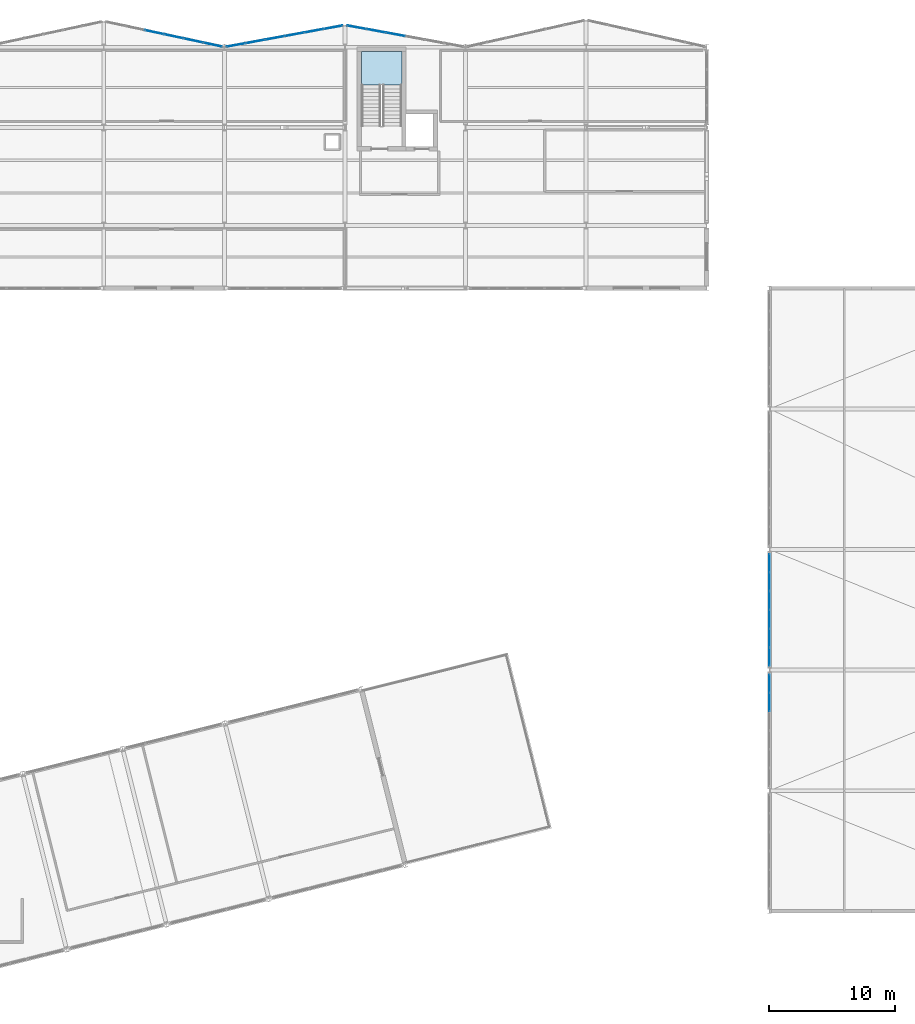
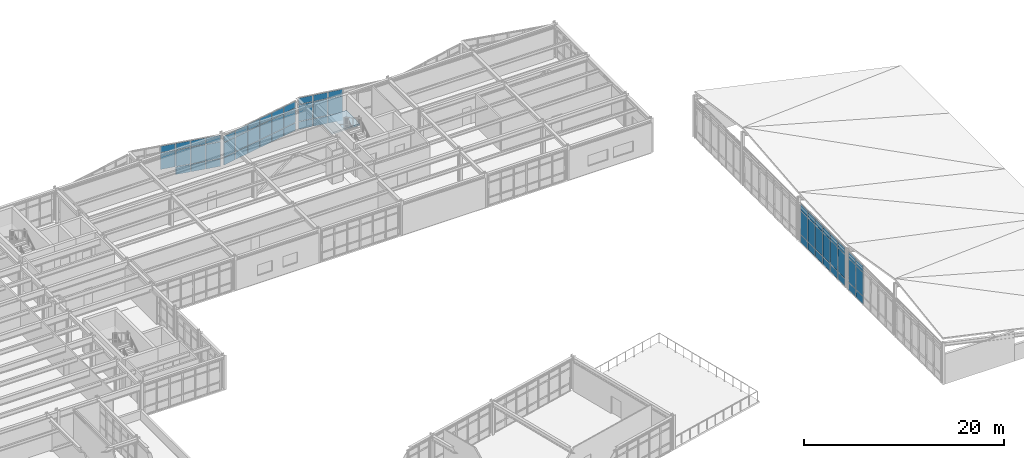
# One storey, part 48 of 64: 62 plates, 1 slab, 6 elements without a shape of their own.
"""IFC4 building model written with IfcOpenShell, lengths in metres."""

import ifcopenshell
import ifcopenshell.guid

model = None  # the IFC model being written
_history = None  # IfcOwnerHistory: only IFC2X3 demands one
_inside = {}  # id of a spatial element -> (the spatial element, [elements in it])
_under = {}  # id of a project, library or spatial element -> (it, [spatial elements below it])
_declared = {}  # id of a project -> (the project, [libraries it declares])
_typed = {}  # id of a type object -> (the type object, [elements of that type])
_made_of = {}  # id of a material, layer set ... -> (it, [elements and type objects made of it])


def new_model(schema):
    """Start an empty IFC model of exactly this schema.

    Asked for "IFC4X3", IfcOpenShell would pick the latest addendum, in which some entities
    have other attributes; the version numbers below select the first issue.
    IFC2X3 requires an IfcOwnerHistory on every rooted entity: one is made here for all.
    """
    global model, _history
    if schema == "IFC4X3":
        model = ifcopenshell.file(schema_version=(4, 3, 0, 0))
    else:
        model = ifcopenshell.file(schema=schema)
    _inside.clear()
    _under.clear()
    _declared.clear()
    _typed.clear()
    _made_of.clear()
    _history = None
    if model.schema == "IFC2X3":
        org = make("IfcOrganization", Name="unknown")
        user = make(
            "IfcPersonAndOrganization",
            ThePerson=make("IfcPerson", FamilyName="unknown"),
            TheOrganization=org,
        )
        app = make(
            "IfcApplication",
            ApplicationDeveloper=org,
            Version="unknown",
            ApplicationFullName="unknown",
            ApplicationIdentifier="unknown",
        )
        _history = make(
            "IfcOwnerHistory",
            OwningUser=user,
            OwningApplication=app,
            ChangeAction="ADDED",
            CreationDate=0,
        )
    return model


def make(cls, **values):
    """One entity of the class cls with the attributes given. An attribute that is None is left unset."""
    return model.create_entity(
        cls, **{name: value for name, value in values.items() if value is not None}
    )


def rooted(cls, **values):
    """An entity with a GlobalId (a new one), such as an element, a storey or a relation."""
    return make(cls, GlobalId=ifcopenshell.guid.new(), OwnerHistory=_history, **values)


def si_unit(unit_type, name, prefix=None):
    """IfcSIUnit, for example si_unit("LENGTHUNIT", "METRE", prefix="MILLI")."""
    return make("IfcSIUnit", UnitType=unit_type, Prefix=prefix, Name=name)


def assignment(units):
    """IfcUnitAssignment: the units of a project."""
    return None if units is None else make("IfcUnitAssignment", Units=units)


def point(xyz):
    """IfcCartesianPoint."""
    return None if xyz is None else make("IfcCartesianPoint", Coordinates=xyz)


def direction(xyz):
    """IfcDirection."""
    return None if xyz is None else make("IfcDirection", DirectionRatios=xyz)


def frame(location, z_axis=None, x_axis=None):
    """IfcAxis2Placement3D, a coordinate frame: its origin and axes. An axis left out is left unset."""
    return make(
        "IfcAxis2Placement3D",
        Location=point(location),
        Axis=direction(z_axis),
        RefDirection=direction(x_axis),
    )


def frame_2d(location, x_axis=None):
    """IfcAxis2Placement2D, a coordinate frame in the plane: its origin and x axis."""
    return make(
        "IfcAxis2Placement2D", Location=point(location), RefDirection=direction(x_axis)
    )


def origin():
    """The frame at (0, 0, 0) with its axes left unset."""
    return frame((0.0, 0.0, 0.0))


def origin_2d():
    """The frame at (0, 0) in the plane with its x axis left unset."""
    return frame_2d((0.0, 0.0))


def place(relative_to, where):
    """IfcLocalPlacement: puts the frame where relative to a parent placement (None: the world)."""
    return make(
        "IfcLocalPlacement", PlacementRelTo=relative_to, RelativePlacement=where
    )


def context(
    kind, dimensions, precision=None, world=None, true_north=None, identifier=None
):
    """IfcGeometricRepresentationContext, for example the 3D "Model" context."""
    return make(
        "IfcGeometricRepresentationContext",
        ContextIdentifier=identifier,
        ContextType=kind,
        CoordinateSpaceDimension=dimensions,
        Precision=precision,
        WorldCoordinateSystem=world,
        TrueNorth=true_north,
    )


def subcontext(parent, identifier, kind, view, scale=None):
    """IfcGeometricRepresentationSubContext, for example "Body" below "Model"."""
    return make(
        "IfcGeometricRepresentationSubContext",
        ContextIdentifier=identifier,
        ContextType=kind,
        ParentContext=parent,
        TargetScale=scale,
        TargetView=view,
    )


def project(units=None, contexts=None):
    """IfcProject with its units and contexts."""
    return rooted(
        "IfcProject",
        Name="project",
        RepresentationContexts=contexts,
        UnitsInContext=assignment(units),
    )


def spatial(cls, under=None, at=None, **own):
    """A site, building, storey or space (cls), placed at a placement, below another one or the project."""
    s = rooted(cls, ObjectPlacement=at, **own)
    if under is not None:
        _under.setdefault(under.id(), (under, []))[1].append(s)
    return s


def polyline(points):
    """IfcPolyline through the points."""
    return make("IfcPolyline", Points=[point(p) for p in points])


def profile(cls, at=None, kind="AREA", **sizes):
    """A parametric profile (cls). Its sizes go by their IFC names, for example OverallWidth=200.0."""
    return make(cls, ProfileType=kind, Position=at, **sizes)


def rectangle(**sizes):
    """IfcRectangleProfileDef."""
    return profile("IfcRectangleProfileDef", **sizes)


def outline(outer, holes=None, kind="AREA"):
    """IfcArbitraryClosedProfileDef: a profile drawn as a closed curve; with holes, ...WithVoids."""
    if holes is None:
        return make("IfcArbitraryClosedProfileDef", ProfileType=kind, OuterCurve=outer)
    return make(
        "IfcArbitraryProfileDefWithVoids",
        ProfileType=kind,
        OuterCurve=outer,
        InnerCurves=holes,
    )


def extrude(swept, where, along, depth):
    """IfcExtrudedAreaSolid: the profile swept, set in the frame where, extruded along a direction by depth."""
    return make(
        "IfcExtrudedAreaSolid",
        SweptArea=swept,
        Position=where,
        ExtrudedDirection=direction(along),
        Depth=depth,
    )


def shape(context_of_items, identifier, shape_type, items):
    """IfcShapeRepresentation: the items that make up one representation, for example the "Body"."""
    return make(
        "IfcShapeRepresentation",
        ContextOfItems=context_of_items,
        RepresentationIdentifier=identifier,
        RepresentationType=shape_type,
        Items=items,
    )


def material(Name=None, Category=None):
    """IfcMaterial."""
    return make("IfcMaterial", Name=Name, Category=Category)


def layer(
    of_material, thickness, ventilated=None, Name=None, Category=None, Priority=None
):
    """IfcMaterialLayer: one layer of a wall or slab, of a material (None: an air gap)."""
    return make(
        "IfcMaterialLayer",
        Material=of_material,
        LayerThickness=thickness,
        IsVentilated=ventilated,
        Name=Name,
        Category=Category,
        Priority=Priority,
    )


def layer_set(layers, Name=None):
    """IfcMaterialLayerSet."""
    return make("IfcMaterialLayerSet", MaterialLayers=layers, LayerSetName=Name)


def made_of(thing, what):
    """Note that an element or type object is made of a material, layer set ...; save() writes the relation."""
    if what is not None:
        _made_of.setdefault(what.id(), (what, []))[1].append(thing)
    return thing


def type_object(cls, material=None, **own):
    """A type object (cls), such as IfcWallType, which elements share."""
    return made_of(rooted(cls, **own), material)


def element(
    cls,
    number,
    at=None,
    inside=None,
    cuts=None,
    type_object=None,
    material=None,
    context=None,
    identifier="Body",
    shape_type=None,
    held_by="IfcProductDefinitionShape",
    body=None,
    shapes=None,
    **own,
):
    """One element of the class cls, such as IfcWall. Its Tag is "e" and its number.

    at: its placement. inside: the storey or other place that contains it. cuts: it is an
    opening in that element (IfcRelVoidsElement). A single representation is given by context,
    identifier, shape_type and body (its items); several are given by shapes. held_by: the class
    of the entity that holds the representations. save() writes the other relations.
    """
    e = rooted(cls, Tag="e%d" % number, ObjectPlacement=at, **own)
    if body is not None:
        shapes = [shape(context, identifier, shape_type, body)]
    if shapes is not None:
        e.Representation = make(held_by, Representations=shapes)
    if inside is not None:
        _inside.setdefault(inside.id(), (inside, []))[1].append(e)
    if cuts is not None:
        rooted(
            "IfcRelVoidsElement", RelatingBuildingElement=cuts, RelatedOpeningElement=e
        )
    if type_object is not None:
        _typed.setdefault(type_object.id(), (type_object, []))[1].append(e)
    return made_of(e, material)


def aggregate(whole, parts):
    """IfcRelAggregates: a whole, such as a stair, and the parts it consists of."""
    return rooted("IfcRelAggregates", RelatingObject=whole, RelatedObjects=parts)


def save(model, path):
    """Write the relations noted so far, then the file.

    IfcRelAggregates (storeys below a building ...), IfcRelContainedInSpatialStructure (elements
    in a storey), IfcRelDefinesByType, IfcRelAssociatesMaterial and IfcRelDeclares: one each for
    every whole, place, type object, material and project.
    """
    for whole, parts in _under.values():
        aggregate(whole, parts)
    for where, things in _inside.values():
        rooted(
            "IfcRelContainedInSpatialStructure",
            RelatedElements=things,
            RelatingStructure=where,
        )
    for kind, things in _typed.values():
        rooted("IfcRelDefinesByType", RelatedObjects=things, RelatingType=kind)
    for what, things in _made_of.values():
        rooted("IfcRelAssociatesMaterial", RelatedObjects=things, RelatingMaterial=what)
    for by, libraries in _declared.values():
        rooted("IfcRelDeclares", RelatingContext=by, RelatedDefinitions=libraries)
    model.write(path)


model = new_model("IFC4")

# Units and contexts
model_context = context("Model", 3, precision=1e-05, world=origin(), true_north=direction((0.0, 1.0)))
body_context = subcontext(model_context, "Body", "Model", "MODEL_VIEW")
ifc_project = project(units=[si_unit("LENGTHUNIT", "METRE"), si_unit("AREAUNIT", "SQUARE_METRE"), si_unit("VOLUMEUNIT", "CUBIC_METRE"), si_unit("PLANEANGLEUNIT", "RADIAN"), si_unit("MASSUNIT", "GRAM", prefix="KILO")], contexts=[model_context])

# Site, building, storey
site_placement = place(None, origin())
site = spatial("IfcSite", under=ifc_project, at=site_placement, CompositionType="ELEMENT")
building_placement = place(site_placement, origin())
building = spatial("IfcBuilding", under=site, at=building_placement, Name="Nordkorset Police Headquarters", CompositionType="ELEMENT")
storey_placement = place(building_placement, frame((0.0, 0.0, 17.85009765625)))
storey = spatial("IfcBuildingStorey", under=building, at=storey_placement, Name="L04", CompositionType="ELEMENT", Elevation=17.85009765625)

# Curtain wall, plates
ifc_material_1 = material(Name="Aluminium alloy AW-6060", Category="aluminium")
ifc_layer_1 = layer(ifc_material_1, 0.179931640625, Name="Aluminium alloy AW-6060")
ifc_layer_set_1 = layer_set([ifc_layer_1], Name="Aluminium alloy AW-6060")
curtain_wall_type_1 = type_object("IfcCurtainWallType", Name="CW_Unit_954x392", PredefinedType="USERDEFINED", material=ifc_layer_set_1)
curtain_wall_1_placement = place(storey_placement, origin())
curtain_wall_1 = element("IfcCurtainWall", 1, at=curtain_wall_1_placement, inside=storey, type_object=curtain_wall_type_1, Name="Unitised Curtain Wall L04 V2N-1", ObjectType="UNITISED CURTAIN WALL", PredefinedType="USERDEFINED")
ifc_material_2 = material(Name="Low-iron triple glazing", Category="glass")
ifc_layer_2 = layer(ifc_material_2, 0.035888671875, Name="Low-iron triple glazing")
ifc_layer_set_2 = layer_set([ifc_layer_2], Name="Low-iron triple glazing")
plate_type = type_object("IfcPlateType", Name="CW_Panel_TripleGlazing_36", PredefinedType="CURTAIN_PANEL", material=ifc_layer_set_2)
plate_1_placement = place(storey_placement, frame((42.4228515625, 117.990966796875, 1.032470703125), z_axis=(0.0, 0.0, 1.0), x_axis=(0.977951416289, -0.208832534289, 0.0)))
plate_1 = element("IfcPlate", 2, at=plate_1_placement, type_object=plate_type, Name="CW-20 panel 3.2", PredefinedType="CURTAIN_PANEL", context=body_context, shape_type="SweptSolid", body=[
    extrude(rectangle(XDim=1.5244140625, YDim=0.035888671875, at=origin_2d()), origin(), (0.0, 0.0, 1.0), 2.0048828125),
])
plate_2_placement = place(storey_placement, frame((42.4228515625, 117.990966796875, 3.1025390625), z_axis=(0.0, 0.0, 1.0), x_axis=(0.977951416289, -0.208832534289, 0.0)))
plate_2 = element("IfcPlate", 3, at=plate_2_placement, type_object=plate_type, Name="CW-20 panel 3.3", PredefinedType="CURTAIN_PANEL", context=body_context, shape_type="SweptSolid", body=[
    extrude(rectangle(XDim=1.5244140625, YDim=0.035888671875, at=origin_2d()), origin(), (0.0, 0.0, 1.0), 0.75244140625),
])
plate_3_placement = place(storey_placement, frame((43.977294921875, 117.658935546875, 0.06494140625), z_axis=(0.0, 0.0, 1.0), x_axis=(0.977951416289, -0.208832534289, 0.0)))
plate_3 = element("IfcPlate", 4, at=plate_3_placement, type_object=plate_type, Name="CW-20 panel 4.1", PredefinedType="CURTAIN_PANEL", context=body_context, shape_type="SweptSolid", body=[
    extrude(rectangle(XDim=1.5244140625, YDim=0.035888671875, at=origin_2d()), origin(), (0.0, 0.0, 1.0), 0.902587890625),
])
plate_4_placement = place(storey_placement, frame((43.977294921875, 117.658935546875, 1.032470703125), z_axis=(0.0, 0.0, 1.0), x_axis=(0.977951416289, -0.208832534289, 0.0)))
plate_4 = element("IfcPlate", 5, at=plate_4_placement, type_object=plate_type, Name="CW-20 panel 4.2", PredefinedType="CURTAIN_PANEL", context=body_context, shape_type="SweptSolid", body=[
    extrude(rectangle(XDim=1.5244140625, YDim=0.035888671875, at=origin_2d()), origin(), (0.0, 0.0, 1.0), 2.0048828125),
])
plate_5_placement = place(storey_placement, frame((43.977294921875, 117.658935546875, 3.1025390625), z_axis=(0.0, 0.0, 1.0), x_axis=(0.977951416289, -0.208832534289, 0.0)))
plate_5 = element("IfcPlate", 6, at=plate_5_placement, type_object=plate_type, Name="CW-20 panel 4.3", PredefinedType="CURTAIN_PANEL", context=body_context, shape_type="SweptSolid", body=[
    extrude(rectangle(XDim=1.5244140625, YDim=0.035888671875, at=origin_2d()), origin(), (0.0, 0.0, 1.0), 0.75244140625),
])
plate_6_placement = place(storey_placement, frame((45.531494140625, 117.3271484375, 0.06494140625), z_axis=(0.0, 0.0, 1.0), x_axis=(0.977951416289, -0.208832534289, 0.0)))
plate_6 = element("IfcPlate", 7, at=plate_6_placement, type_object=plate_type, Name="CW-20 panel 5.1", PredefinedType="CURTAIN_PANEL", context=body_context, shape_type="SweptSolid", body=[
    extrude(rectangle(XDim=1.5244140625, YDim=0.035888671875, at=origin_2d()), origin(), (0.0, 0.0, 1.0), 0.902587890625),
])
plate_7_placement = place(storey_placement, frame((45.531494140625, 117.3271484375, 1.032470703125), z_axis=(0.0, 0.0, 1.0), x_axis=(0.977951416289, -0.208832534289, 0.0)))
plate_7 = element("IfcPlate", 8, at=plate_7_placement, type_object=plate_type, Name="CW-20 panel 5.2", PredefinedType="CURTAIN_PANEL", context=body_context, shape_type="SweptSolid", body=[
    extrude(rectangle(XDim=1.5244140625, YDim=0.035888671875, at=origin_2d()), origin(), (0.0, 0.0, 1.0), 2.0048828125),
])
plate_8_placement = place(storey_placement, frame((45.531494140625, 117.3271484375, 3.1025390625), z_axis=(0.0, 0.0, 1.0), x_axis=(0.977951416289, -0.208832534289, 0.0)))
plate_8 = element("IfcPlate", 9, at=plate_8_placement, type_object=plate_type, Name="CW-20 panel 5.3", PredefinedType="CURTAIN_PANEL", context=body_context, shape_type="SweptSolid", body=[
    extrude(rectangle(XDim=1.5244140625, YDim=0.035888671875, at=origin_2d()), origin(), (0.0, 0.0, 1.0), 0.75244140625),
])
plate_9_placement = place(storey_placement, frame((47.070068359375, 116.99853515625, 0.06494140625), z_axis=(0.0, 0.0, 1.0), x_axis=(0.977951416289, -0.208832534289, 0.0)))
plate_9 = element("IfcPlate", 10, at=plate_9_placement, type_object=plate_type, Name="CW-20 panel 6.1", PredefinedType="CURTAIN_PANEL", context=body_context, shape_type="SweptSolid", body=[
    extrude(rectangle(XDim=1.491943359375, YDim=0.035888671875, at=origin_2d()), origin(), (0.0, 0.0, 1.0), 0.902587890625),
])
plate_10_placement = place(storey_placement, frame((47.070068359375, 116.99853515625, 1.032470703125), z_axis=(0.0, 0.0, 1.0), x_axis=(0.977951416289, -0.208832534289, 0.0)))
plate_10 = element("IfcPlate", 11, at=plate_10_placement, type_object=plate_type, Name="CW-20 panel 6.2", PredefinedType="CURTAIN_PANEL", context=body_context, shape_type="SweptSolid", body=[
    extrude(rectangle(XDim=1.491943359375, YDim=0.035888671875, at=origin_2d()), origin(), (0.0, 0.0, 1.0), 2.0048828125),
])
plate_11_placement = place(storey_placement, frame((47.070068359375, 116.99853515625, 3.1025390625), z_axis=(0.0, 0.0, 1.0), x_axis=(0.977951416289, -0.208832534289, 0.0)))
plate_11 = element("IfcPlate", 12, at=plate_11_placement, type_object=plate_type, Name="CW-20 panel 6.3", PredefinedType="CURTAIN_PANEL", context=body_context, shape_type="SweptSolid", body=[
    extrude(rectangle(XDim=1.491943359375, YDim=0.035888671875, at=origin_2d()), origin(), (0.0, 0.0, 1.0), 0.75244140625),
])
aggregate(curtain_wall_1, [plate_1, plate_2, plate_3, plate_4, plate_5, plate_6, plate_7, plate_8, plate_9, plate_10, plate_11])

ifc_material_3 = material(Name="Aluminium alloy AW-6060", Category="aluminium")
ifc_layer_3 = layer(ifc_material_3, 0.179931640625, Name="Aluminium alloy AW-6060")
ifc_layer_set_3 = layer_set([ifc_layer_3], Name="Aluminium alloy AW-6060")
curtain_wall_type_2 = type_object("IfcCurtainWallType", Name="CW_Unit_948x366", PredefinedType="USERDEFINED", material=ifc_layer_set_3)
curtain_wall_2_placement = place(storey_placement, origin())
curtain_wall_2 = element("IfcCurtainWall", 13, at=curtain_wall_2_placement, inside=storey, type_object=curtain_wall_type_2, Name="Unitised Curtain Wall L04 V2N-2", ObjectType="UNITISED CURTAIN WALL", PredefinedType="USERDEFINED")
plate_12_placement = place(storey_placement, frame((48.9306640625, 116.9697265625, 0.06494140625), z_axis=(0.0, 0.0, 1.0), x_axis=(0.983787934979, 0.179335715876, 0.0)))
plate_12 = element("IfcPlate", 14, at=plate_12_placement, type_object=plate_type, Name="CW-35 panel 1.1", PredefinedType="CURTAIN_PANEL", context=body_context, shape_type="SweptSolid", body=[
    extrude(rectangle(XDim=1.482177734375, YDim=0.035888671875, at=origin_2d()), origin(), (0.0, 0.0, 1.0), 0.902587890625),
])
plate_13_placement = place(storey_placement, frame((48.9306640625, 116.9697265625, 1.0322265625), z_axis=(0.0, 0.0, 1.0), x_axis=(0.983787934979, 0.179335715876, 0.0)))
plate_13 = element("IfcPlate", 15, at=plate_13_placement, type_object=plate_type, Name="CW-35 panel 1.2", PredefinedType="CURTAIN_PANEL", context=body_context, shape_type="SweptSolid", body=[
    extrude(rectangle(XDim=1.482177734375, YDim=0.035888671875, at=origin_2d()), origin(), (0.0, 0.0, 1.0), 1.7451171875),
])
plate_14_placement = place(storey_placement, frame((48.9306640625, 116.9697265625, 2.842529296875), z_axis=(0.0, 0.0, 1.0), x_axis=(0.983787934979, 0.179335715876, 0.0)))
plate_14 = element("IfcPlate", 16, at=plate_14_placement, type_object=plate_type, Name="CW-35 panel 1.3", PredefinedType="CURTAIN_PANEL", context=body_context, shape_type="SweptSolid", body=[
    extrude(rectangle(XDim=1.482177734375, YDim=0.035888671875, at=origin_2d()), origin(), (0.0, 0.0, 1.0), 0.75244140625),
])
plate_15_placement = place(storey_placement, frame((50.46875, 117.25, 0.06494140625), z_axis=(0.0, 0.0, 1.0), x_axis=(0.983787934979, 0.179335715876, 0.0)))
plate_15 = element("IfcPlate", 17, at=plate_15_placement, type_object=plate_type, Name="CW-35 panel 2.1", PredefinedType="CURTAIN_PANEL", context=body_context, shape_type="SweptSolid", body=[
    extrude(rectangle(XDim=1.5146484375, YDim=0.035888671875, at=origin_2d()), origin(), (0.0, 0.0, 1.0), 0.902587890625),
])
plate_16_placement = place(storey_placement, frame((50.46875, 117.25, 1.0322265625), z_axis=(0.0, 0.0, 1.0), x_axis=(0.983787934979, 0.179335715876, 0.0)))
plate_16 = element("IfcPlate", 18, at=plate_16_placement, type_object=plate_type, Name="CW-35 panel 2.2", PredefinedType="CURTAIN_PANEL", context=body_context, shape_type="SweptSolid", body=[
    extrude(rectangle(XDim=1.5146484375, YDim=0.035888671875, at=origin_2d()), origin(), (0.0, 0.0, 1.0), 1.7451171875),
])
plate_17_placement = place(storey_placement, frame((50.46875, 117.25, 2.842529296875), z_axis=(0.0, 0.0, 1.0), x_axis=(0.983787934979, 0.179335715876, 0.0)))
plate_17 = element("IfcPlate", 19, at=plate_17_placement, type_object=plate_type, Name="CW-35 panel 2.3", PredefinedType="CURTAIN_PANEL", context=body_context, shape_type="SweptSolid", body=[
    extrude(rectangle(XDim=1.5146484375, YDim=0.035888671875, at=origin_2d()), origin(), (0.0, 0.0, 1.0), 0.75244140625),
])
plate_18_placement = place(storey_placement, frame((52.02294921875, 117.533447265625, 0.06494140625), z_axis=(0.0, 0.0, 1.0), x_axis=(0.983787934979, 0.179335715876, 0.0)))
plate_18 = element("IfcPlate", 20, at=plate_18_placement, type_object=plate_type, Name="CW-35 panel 3.1", PredefinedType="CURTAIN_PANEL", context=body_context, shape_type="SweptSolid", body=[
    extrude(rectangle(XDim=1.5146484375, YDim=0.035888671875, at=origin_2d()), origin(), (0.0, 0.0, 1.0), 0.902587890625),
])
plate_19_placement = place(storey_placement, frame((52.02294921875, 117.533447265625, 1.0322265625), z_axis=(0.0, 0.0, 1.0), x_axis=(0.983787934979, 0.179335715876, 0.0)))
plate_19 = element("IfcPlate", 21, at=plate_19_placement, type_object=plate_type, Name="CW-35 panel 3.2", PredefinedType="CURTAIN_PANEL", context=body_context, shape_type="SweptSolid", body=[
    extrude(rectangle(XDim=1.5146484375, YDim=0.035888671875, at=origin_2d()), origin(), (0.0, 0.0, 1.0), 1.7451171875),
])
plate_20_placement = place(storey_placement, frame((52.02294921875, 117.533447265625, 2.842529296875), z_axis=(0.0, 0.0, 1.0), x_axis=(0.983787934979, 0.179335715876, 0.0)))
plate_20 = element("IfcPlate", 22, at=plate_20_placement, type_object=plate_type, Name="CW-35 panel 3.3", PredefinedType="CURTAIN_PANEL", context=body_context, shape_type="SweptSolid", body=[
    extrude(rectangle(XDim=1.5146484375, YDim=0.035888671875, at=origin_2d()), origin(), (0.0, 0.0, 1.0), 0.75244140625),
])
plate_21_placement = place(storey_placement, frame((53.5771484375, 117.816650390625, 0.06494140625), z_axis=(0.0, 0.0, 1.0), x_axis=(0.983787934979, 0.179335715876, 0.0)))
plate_21 = element("IfcPlate", 23, at=plate_21_placement, type_object=plate_type, Name="CW-35 panel 4.1", PredefinedType="CURTAIN_PANEL", context=body_context, shape_type="SweptSolid", body=[
    extrude(rectangle(XDim=1.5146484375, YDim=0.035888671875, at=origin_2d()), origin(), (0.0, 0.0, 1.0), 0.902587890625),
])
plate_22_placement = place(storey_placement, frame((53.5771484375, 117.816650390625, 1.0322265625), z_axis=(0.0, 0.0, 1.0), x_axis=(0.983787934979, 0.179335715876, 0.0)))
plate_22 = element("IfcPlate", 24, at=plate_22_placement, type_object=plate_type, Name="CW-35 panel 4.2", PredefinedType="CURTAIN_PANEL", context=body_context, shape_type="SweptSolid", body=[
    extrude(rectangle(XDim=1.5146484375, YDim=0.035888671875, at=origin_2d()), origin(), (0.0, 0.0, 1.0), 1.7451171875),
])
plate_23_placement = place(storey_placement, frame((53.5771484375, 117.816650390625, 2.842529296875), z_axis=(0.0, 0.0, 1.0), x_axis=(0.983787934979, 0.179335715876, 0.0)))
plate_23 = element("IfcPlate", 25, at=plate_23_placement, type_object=plate_type, Name="CW-35 panel 4.3", PredefinedType="CURTAIN_PANEL", context=body_context, shape_type="SweptSolid", body=[
    extrude(rectangle(XDim=1.5146484375, YDim=0.035888671875, at=origin_2d()), origin(), (0.0, 0.0, 1.0), 0.75244140625),
])
plate_24_placement = place(storey_placement, frame((55.131103515625, 118.099853515625, 0.06494140625), z_axis=(0.0, 0.0, 1.0), x_axis=(0.983787934979, 0.179335715876, 0.0)))
plate_24 = element("IfcPlate", 26, at=plate_24_placement, type_object=plate_type, Name="CW-35 panel 5.1", PredefinedType="CURTAIN_PANEL", context=body_context, shape_type="SweptSolid", body=[
    extrude(rectangle(XDim=1.5146484375, YDim=0.035888671875, at=origin_2d()), origin(), (0.0, 0.0, 1.0), 0.902587890625),
])
plate_25_placement = place(storey_placement, frame((55.131103515625, 118.099853515625, 1.0322265625), z_axis=(0.0, 0.0, 1.0), x_axis=(0.983787934979, 0.179335715876, 0.0)))
plate_25 = element("IfcPlate", 27, at=plate_25_placement, type_object=plate_type, Name="CW-35 panel 5.2", PredefinedType="CURTAIN_PANEL", context=body_context, shape_type="SweptSolid", body=[
    extrude(rectangle(XDim=1.5146484375, YDim=0.035888671875, at=origin_2d()), origin(), (0.0, 0.0, 1.0), 1.7451171875),
])
plate_26_placement = place(storey_placement, frame((55.131103515625, 118.099853515625, 2.842529296875), z_axis=(0.0, 0.0, 1.0), x_axis=(0.983787934979, 0.179335715876, 0.0)))
plate_26 = element("IfcPlate", 28, at=plate_26_placement, type_object=plate_type, Name="CW-35 panel 5.3", PredefinedType="CURTAIN_PANEL", context=body_context, shape_type="SweptSolid", body=[
    extrude(rectangle(XDim=1.5146484375, YDim=0.035888671875, at=origin_2d()), origin(), (0.0, 0.0, 1.0), 0.75244140625),
])
plate_27_placement = place(storey_placement, frame((56.669189453125, 118.38037109375, 0.06494140625), z_axis=(0.0, 0.0, 1.0), x_axis=(0.983787934979, 0.179335715876, 0.0)))
plate_27 = element("IfcPlate", 29, at=plate_27_placement, type_object=plate_type, Name="CW-35 panel 6.1", PredefinedType="CURTAIN_PANEL", context=body_context, shape_type="SweptSolid", body=[
    extrude(rectangle(XDim=1.482177734375, YDim=0.035888671875, at=origin_2d()), origin(), (0.0, 0.0, 1.0), 0.902587890625),
])
plate_28_placement = place(storey_placement, frame((56.669189453125, 118.38037109375, 1.0322265625), z_axis=(0.0, 0.0, 1.0), x_axis=(0.983787934979, 0.179335715876, 0.0)))
plate_28 = element("IfcPlate", 30, at=plate_28_placement, type_object=plate_type, Name="CW-35 panel 6.2", PredefinedType="CURTAIN_PANEL", context=body_context, shape_type="SweptSolid", body=[
    extrude(rectangle(XDim=1.482177734375, YDim=0.035888671875, at=origin_2d()), origin(), (0.0, 0.0, 1.0), 1.7451171875),
])
plate_29_placement = place(storey_placement, frame((56.669189453125, 118.38037109375, 2.842529296875), z_axis=(0.0, 0.0, 1.0), x_axis=(0.983787934979, 0.179335715876, 0.0)))
plate_29 = element("IfcPlate", 31, at=plate_29_placement, type_object=plate_type, Name="CW-35 panel 6.3", PredefinedType="CURTAIN_PANEL", context=body_context, shape_type="SweptSolid", body=[
    extrude(rectangle(XDim=1.482177734375, YDim=0.035888671875, at=origin_2d()), origin(), (0.0, 0.0, 1.0), 0.75244140625),
])
aggregate(curtain_wall_2, [plate_12, plate_13, plate_14, plate_15, plate_16, plate_17, plate_18, plate_19, plate_20, plate_21, plate_22, plate_23, plate_24, plate_25, plate_26, plate_27, plate_28, plate_29])

ifc_material_4 = material(Name="Aluminium alloy AW-6060", Category="aluminium")
ifc_layer_4 = layer(ifc_material_4, 0.179931640625, Name="Aluminium alloy AW-6060")
ifc_layer_set_4 = layer_set([ifc_layer_4], Name="Aluminium alloy AW-6060")
curtain_wall_type_3 = type_object("IfcCurtainWallType", Name="CW_Unit_948x392", PredefinedType="USERDEFINED", material=ifc_layer_set_4)
curtain_wall_3_placement = place(storey_placement, origin())
curtain_wall_3 = element("IfcCurtainWall", 32, at=curtain_wall_3_placement, inside=storey, type_object=curtain_wall_type_3, Name="Unitised Curtain Wall L04 V2N-3", ObjectType="UNITISED CURTAIN WALL", PredefinedType="USERDEFINED")
plate_30_placement = place(storey_placement, frame((58.53076171875, 118.38037109375, 0.06494140625), z_axis=(0.0, 0.0, 1.0), x_axis=(0.983787934979, -0.179335715876, 0.0)))
plate_30 = element("IfcPlate", 33, at=plate_30_placement, type_object=plate_type, Name="CW-65 panel 1.1", PredefinedType="CURTAIN_PANEL", context=body_context, shape_type="SweptSolid", body=[
    extrude(rectangle(XDim=1.482177734375, YDim=0.035888671875, at=origin_2d()), origin(), (0.0, 0.0, 1.0), 0.902587890625),
])
plate_31_placement = place(storey_placement, frame((58.53076171875, 118.38037109375, 1.032470703125), z_axis=(0.0, 0.0, 1.0), x_axis=(0.983787934979, -0.179335715876, 0.0)))
plate_31 = element("IfcPlate", 34, at=plate_31_placement, type_object=plate_type, Name="CW-65 panel 1.2", PredefinedType="CURTAIN_PANEL", context=body_context, shape_type="SweptSolid", body=[
    extrude(rectangle(XDim=1.482177734375, YDim=0.035888671875, at=origin_2d()), origin(), (0.0, 0.0, 1.0), 2.0048828125),
])
plate_32_placement = place(storey_placement, frame((58.53076171875, 118.38037109375, 3.1025390625), z_axis=(0.0, 0.0, 1.0), x_axis=(0.983787934979, -0.179335715876, 0.0)))
plate_32 = element("IfcPlate", 35, at=plate_32_placement, type_object=plate_type, Name="CW-65 panel 1.3", PredefinedType="CURTAIN_PANEL", context=body_context, shape_type="SweptSolid", body=[
    extrude(rectangle(XDim=1.482177734375, YDim=0.035888671875, at=origin_2d()), origin(), (0.0, 0.0, 1.0), 0.75244140625),
])
plate_33_placement = place(storey_placement, frame((60.06884765625, 118.099853515625, 0.06494140625), z_axis=(0.0, 0.0, 1.0), x_axis=(0.983787934979, -0.179335715876, 0.0)))
plate_33 = element("IfcPlate", 36, at=plate_33_placement, type_object=plate_type, Name="CW-65 panel 2.1", PredefinedType="CURTAIN_PANEL", context=body_context, shape_type="SweptSolid", body=[
    extrude(rectangle(XDim=1.5146484375, YDim=0.035888671875, at=origin_2d()), origin(), (0.0, 0.0, 1.0), 0.902587890625),
])
plate_34_placement = place(storey_placement, frame((60.06884765625, 118.099853515625, 1.032470703125), z_axis=(0.0, 0.0, 1.0), x_axis=(0.983787934979, -0.179335715876, 0.0)))
plate_34 = element("IfcPlate", 37, at=plate_34_placement, type_object=plate_type, Name="CW-65 panel 2.2", PredefinedType="CURTAIN_PANEL", context=body_context, shape_type="SweptSolid", body=[
    extrude(rectangle(XDim=1.5146484375, YDim=0.035888671875, at=origin_2d()), origin(), (0.0, 0.0, 1.0), 2.0048828125),
])
plate_35_placement = place(storey_placement, frame((60.06884765625, 118.099853515625, 3.1025390625), z_axis=(0.0, 0.0, 1.0), x_axis=(0.983787934979, -0.179335715876, 0.0)))
plate_35 = element("IfcPlate", 38, at=plate_35_placement, type_object=plate_type, Name="CW-65 panel 2.3", PredefinedType="CURTAIN_PANEL", context=body_context, shape_type="SweptSolid", body=[
    extrude(rectangle(XDim=1.5146484375, YDim=0.035888671875, at=origin_2d()), origin(), (0.0, 0.0, 1.0), 0.75244140625),
])
plate_36_placement = place(storey_placement, frame((61.623046875, 117.816650390625, 0.06494140625), z_axis=(0.0, 0.0, 1.0), x_axis=(0.983787934979, -0.179335715876, 0.0)))
plate_36 = element("IfcPlate", 39, at=plate_36_placement, type_object=plate_type, Name="CW-65 panel 3.1", PredefinedType="CURTAIN_PANEL", context=body_context, shape_type="SweptSolid", body=[
    extrude(rectangle(XDim=1.5146484375, YDim=0.035888671875, at=origin_2d()), origin(), (0.0, 0.0, 1.0), 0.902587890625),
])
plate_37_placement = place(storey_placement, frame((61.623046875, 117.816650390625, 1.032470703125), z_axis=(0.0, 0.0, 1.0), x_axis=(0.983787934979, -0.179335715876, 0.0)))
plate_37 = element("IfcPlate", 40, at=plate_37_placement, type_object=plate_type, Name="CW-65 panel 3.2", PredefinedType="CURTAIN_PANEL", context=body_context, shape_type="SweptSolid", body=[
    extrude(rectangle(XDim=1.5146484375, YDim=0.035888671875, at=origin_2d()), origin(), (0.0, 0.0, 1.0), 2.0048828125),
])
plate_38_placement = place(storey_placement, frame((61.623046875, 117.816650390625, 3.1025390625), z_axis=(0.0, 0.0, 1.0), x_axis=(0.983787934979, -0.179335715876, 0.0)))
plate_38 = element("IfcPlate", 41, at=plate_38_placement, type_object=plate_type, Name="CW-65 panel 3.3", PredefinedType="CURTAIN_PANEL", context=body_context, shape_type="SweptSolid", body=[
    extrude(rectangle(XDim=1.5146484375, YDim=0.035888671875, at=origin_2d()), origin(), (0.0, 0.0, 1.0), 0.75244140625),
])
aggregate(curtain_wall_3, [plate_30, plate_31, plate_32, plate_33, plate_34, plate_35, plate_36, plate_37, plate_38])

ifc_material_5 = material(Name="Aluminium alloy AW-6060", Category="aluminium")
ifc_layer_5 = layer(ifc_material_5, 0.179931640625, Name="Aluminium alloy AW-6060")
ifc_layer_set_5 = layer_set([ifc_layer_5], Name="Aluminium alloy AW-6060")
curtain_wall_type_4 = type_object("IfcCurtainWallType", Name="CW_Unit_900x479", PredefinedType="USERDEFINED", material=ifc_layer_set_5)
curtain_wall_4_placement = place(storey_placement, origin())
curtain_wall_4 = element("IfcCurtainWall", 42, at=curtain_wall_4_placement, inside=storey, type_object=curtain_wall_type_4, Name="Unitised Curtain Wall L04 V5CLER-1", ObjectType="UNITISED CURTAIN WALL", PredefinedType="USERDEFINED")
plate_39_placement = place(storey_placement, frame((91.39990234375, 64.64990234375, 0.06494140625), z_axis=(0.0, 0.0, 1.0), x_axis=(0.0, 1.0, 0.0)))
plate_39 = element("IfcPlate", 43, at=plate_39_placement, type_object=plate_type, Name="CW-89 panel 5.1", PredefinedType="CURTAIN_PANEL", context=body_context, shape_type="SweptSolid", body=[
    extrude(rectangle(XDim=1.43505859375, YDim=0.035888671875, at=origin_2d()), origin(), (0.0, 0.0, 1.0), 0.902587890625),
])
plate_40_placement = place(storey_placement, frame((91.39990234375, 64.64990234375, 1.032470703125), z_axis=(0.0, 0.0, 1.0), x_axis=(0.0, 1.0, 0.0)))
plate_40 = element("IfcPlate", 44, at=plate_40_placement, type_object=plate_type, Name="CW-89 panel 5.2", PredefinedType="CURTAIN_PANEL", context=body_context, shape_type="SweptSolid", body=[
    extrude(rectangle(XDim=1.43505859375, YDim=0.035888671875, at=origin_2d()), origin(), (0.0, 0.0, 1.0), 2.875),
])
plate_41_placement = place(storey_placement, frame((91.39990234375, 64.64990234375, 3.972412109375), z_axis=(0.0, 0.0, 1.0), x_axis=(0.0, 1.0, 0.0)))
plate_41 = element("IfcPlate", 45, at=plate_41_placement, type_object=plate_type, Name="CW-89 panel 5.3", PredefinedType="CURTAIN_PANEL", context=body_context, shape_type="SweptSolid", body=[
    extrude(rectangle(XDim=1.43505859375, YDim=0.035888671875, at=origin_2d()), origin(), (0.0, 0.0, 1.0), 0.75244140625),
])
plate_42_placement = place(storey_placement, frame((91.39990234375, 66.1337890625, 0.06494140625), z_axis=(0.0, 0.0, 1.0), x_axis=(0.0, 1.0, 0.0)))
plate_42 = element("IfcPlate", 46, at=plate_42_placement, type_object=plate_type, Name="CW-89 panel 6.1", PredefinedType="CURTAIN_PANEL", context=body_context, shape_type="SweptSolid", body=[
    extrude(rectangle(XDim=1.402587890625, YDim=0.035888671875, at=origin_2d()), origin(), (0.0, 0.0, 1.0), 0.902587890625),
])
plate_43_placement = place(storey_placement, frame((91.39990234375, 66.1337890625, 1.032470703125), z_axis=(0.0, 0.0, 1.0), x_axis=(0.0, 1.0, 0.0)))
plate_43 = element("IfcPlate", 47, at=plate_43_placement, type_object=plate_type, Name="CW-89 panel 6.2", PredefinedType="CURTAIN_PANEL", context=body_context, shape_type="SweptSolid", body=[
    extrude(rectangle(XDim=1.402587890625, YDim=0.035888671875, at=origin_2d()), origin(), (0.0, 0.0, 1.0), 2.875),
])
plate_44_placement = place(storey_placement, frame((91.39990234375, 66.1337890625, 3.972412109375), z_axis=(0.0, 0.0, 1.0), x_axis=(0.0, 1.0, 0.0)))
plate_44 = element("IfcPlate", 48, at=plate_44_placement, type_object=plate_type, Name="CW-89 panel 6.3", PredefinedType="CURTAIN_PANEL", context=body_context, shape_type="SweptSolid", body=[
    extrude(rectangle(XDim=1.402587890625, YDim=0.035888671875, at=origin_2d()), origin(), (0.0, 0.0, 1.0), 0.75244140625),
])
aggregate(curtain_wall_4, [plate_39, plate_40, plate_41, plate_42, plate_43, plate_44])

curtain_wall_5_placement = place(storey_placement, origin())
curtain_wall_5 = element("IfcCurtainWall", 49, at=curtain_wall_5_placement, inside=storey, type_object=curtain_wall_type_4, Name="Unitised Curtain Wall L04 V5CLER-2", ObjectType="UNITISED CURTAIN WALL", PredefinedType="USERDEFINED")
plate_45_placement = place(storey_placement, frame((91.39990234375, 68.266357421875, 0.06494140625), z_axis=(0.0, 0.0, 1.0), x_axis=(0.0, 1.0, 0.0)))
plate_45 = element("IfcPlate", 50, at=plate_45_placement, type_object=plate_type, Name="CW-89 panel 1.1", PredefinedType="CURTAIN_PANEL", context=body_context, shape_type="SweptSolid", body=[
    extrude(rectangle(XDim=1.402587890625, YDim=0.035888671875, at=origin_2d()), origin(), (0.0, 0.0, 1.0), 0.902587890625),
])
plate_46_placement = place(storey_placement, frame((91.39990234375, 68.266357421875, 1.032470703125), z_axis=(0.0, 0.0, 1.0), x_axis=(0.0, 1.0, 0.0)))
plate_46 = element("IfcPlate", 51, at=plate_46_placement, type_object=plate_type, Name="CW-89 panel 1.2", PredefinedType="CURTAIN_PANEL", context=body_context, shape_type="SweptSolid", body=[
    extrude(rectangle(XDim=1.402587890625, YDim=0.035888671875, at=origin_2d()), origin(), (0.0, 0.0, 1.0), 2.875),
])
plate_47_placement = place(storey_placement, frame((91.39990234375, 68.266357421875, 3.972412109375), z_axis=(0.0, 0.0, 1.0), x_axis=(0.0, 1.0, 0.0)))
plate_47 = element("IfcPlate", 52, at=plate_47_placement, type_object=plate_type, Name="CW-89 panel 1.3", PredefinedType="CURTAIN_PANEL", context=body_context, shape_type="SweptSolid", body=[
    extrude(rectangle(XDim=1.402587890625, YDim=0.035888671875, at=origin_2d()), origin(), (0.0, 0.0, 1.0), 0.75244140625),
])
plate_48_placement = place(storey_placement, frame((91.39990234375, 69.75, 0.06494140625), z_axis=(0.0, 0.0, 1.0), x_axis=(0.0, 1.0, 0.0)))
plate_48 = element("IfcPlate", 53, at=plate_48_placement, type_object=plate_type, Name="CW-89 panel 2.1", PredefinedType="CURTAIN_PANEL", context=body_context, shape_type="SweptSolid", body=[
    extrude(rectangle(XDim=1.43505859375, YDim=0.035888671875, at=origin_2d()), origin(), (0.0, 0.0, 1.0), 0.902587890625),
])
plate_49_placement = place(storey_placement, frame((91.39990234375, 69.75, 1.032470703125), z_axis=(0.0, 0.0, 1.0), x_axis=(0.0, 1.0, 0.0)))
plate_49 = element("IfcPlate", 54, at=plate_49_placement, type_object=plate_type, Name="CW-89 panel 2.2", PredefinedType="CURTAIN_PANEL", context=body_context, shape_type="SweptSolid", body=[
    extrude(rectangle(XDim=1.43505859375, YDim=0.035888671875, at=origin_2d()), origin(), (0.0, 0.0, 1.0), 2.875),
])
plate_50_placement = place(storey_placement, frame((91.39990234375, 69.75, 3.972412109375), z_axis=(0.0, 0.0, 1.0), x_axis=(0.0, 1.0, 0.0)))
plate_50 = element("IfcPlate", 55, at=plate_50_placement, type_object=plate_type, Name="CW-89 panel 2.3", PredefinedType="CURTAIN_PANEL", context=body_context, shape_type="SweptSolid", body=[
    extrude(rectangle(XDim=1.43505859375, YDim=0.035888671875, at=origin_2d()), origin(), (0.0, 0.0, 1.0), 0.75244140625),
])
plate_51_placement = place(storey_placement, frame((91.39990234375, 71.25, 0.06494140625), z_axis=(0.0, 0.0, 1.0), x_axis=(0.0, 1.0, 0.0)))
plate_51 = element("IfcPlate", 56, at=plate_51_placement, type_object=plate_type, Name="CW-89 panel 3.1", PredefinedType="CURTAIN_PANEL", context=body_context, shape_type="SweptSolid", body=[
    extrude(rectangle(XDim=1.43505859375, YDim=0.035888671875, at=origin_2d()), origin(), (0.0, 0.0, 1.0), 0.902587890625),
])
plate_52_placement = place(storey_placement, frame((91.39990234375, 71.25, 1.032470703125), z_axis=(0.0, 0.0, 1.0), x_axis=(0.0, 1.0, 0.0)))
plate_52 = element("IfcPlate", 57, at=plate_52_placement, type_object=plate_type, Name="CW-89 panel 3.2", PredefinedType="CURTAIN_PANEL", context=body_context, shape_type="SweptSolid", body=[
    extrude(rectangle(XDim=1.43505859375, YDim=0.035888671875, at=origin_2d()), origin(), (0.0, 0.0, 1.0), 2.875),
])
plate_53_placement = place(storey_placement, frame((91.39990234375, 71.25, 3.972412109375), z_axis=(0.0, 0.0, 1.0), x_axis=(0.0, 1.0, 0.0)))
plate_53 = element("IfcPlate", 58, at=plate_53_placement, type_object=plate_type, Name="CW-89 panel 3.3", PredefinedType="CURTAIN_PANEL", context=body_context, shape_type="SweptSolid", body=[
    extrude(rectangle(XDim=1.43505859375, YDim=0.035888671875, at=origin_2d()), origin(), (0.0, 0.0, 1.0), 0.75244140625),
])
plate_54_placement = place(storey_placement, frame((91.39990234375, 72.75, 0.06494140625), z_axis=(0.0, 0.0, 1.0), x_axis=(0.0, 1.0, 0.0)))
plate_54 = element("IfcPlate", 59, at=plate_54_placement, type_object=plate_type, Name="CW-89 panel 4.1", PredefinedType="CURTAIN_PANEL", context=body_context, shape_type="SweptSolid", body=[
    extrude(rectangle(XDim=1.43505859375, YDim=0.035888671875, at=origin_2d()), origin(), (0.0, 0.0, 1.0), 0.902587890625),
])
plate_55_placement = place(storey_placement, frame((91.39990234375, 72.75, 1.032470703125), z_axis=(0.0, 0.0, 1.0), x_axis=(0.0, 1.0, 0.0)))
plate_55 = element("IfcPlate", 60, at=plate_55_placement, type_object=plate_type, Name="CW-89 panel 4.2", PredefinedType="CURTAIN_PANEL", context=body_context, shape_type="SweptSolid", body=[
    extrude(rectangle(XDim=1.43505859375, YDim=0.035888671875, at=origin_2d()), origin(), (0.0, 0.0, 1.0), 2.875),
])
plate_56_placement = place(storey_placement, frame((91.39990234375, 72.75, 3.972412109375), z_axis=(0.0, 0.0, 1.0), x_axis=(0.0, 1.0, 0.0)))
plate_56 = element("IfcPlate", 61, at=plate_56_placement, type_object=plate_type, Name="CW-89 panel 4.3", PredefinedType="CURTAIN_PANEL", context=body_context, shape_type="SweptSolid", body=[
    extrude(rectangle(XDim=1.43505859375, YDim=0.035888671875, at=origin_2d()), origin(), (0.0, 0.0, 1.0), 0.75244140625),
])
plate_57_placement = place(storey_placement, frame((91.39990234375, 74.25, 0.06494140625), z_axis=(0.0, 0.0, 1.0), x_axis=(0.0, 1.0, 0.0)))
plate_57 = element("IfcPlate", 62, at=plate_57_placement, type_object=plate_type, Name="CW-89 panel 5.1", PredefinedType="CURTAIN_PANEL", context=body_context, shape_type="SweptSolid", body=[
    extrude(rectangle(XDim=1.43505859375, YDim=0.035888671875, at=origin_2d()), origin(), (0.0, 0.0, 1.0), 0.902587890625),
])
plate_58_placement = place(storey_placement, frame((91.39990234375, 74.25, 1.032470703125), z_axis=(0.0, 0.0, 1.0), x_axis=(0.0, 1.0, 0.0)))
plate_58 = element("IfcPlate", 63, at=plate_58_placement, type_object=plate_type, Name="CW-89 panel 5.2", PredefinedType="CURTAIN_PANEL", context=body_context, shape_type="SweptSolid", body=[
    extrude(rectangle(XDim=1.43505859375, YDim=0.035888671875, at=origin_2d()), origin(), (0.0, 0.0, 1.0), 2.875),
])
plate_59_placement = place(storey_placement, frame((91.39990234375, 74.25, 3.972412109375), z_axis=(0.0, 0.0, 1.0), x_axis=(0.0, 1.0, 0.0)))
plate_59 = element("IfcPlate", 64, at=plate_59_placement, type_object=plate_type, Name="CW-89 panel 5.3", PredefinedType="CURTAIN_PANEL", context=body_context, shape_type="SweptSolid", body=[
    extrude(rectangle(XDim=1.43505859375, YDim=0.035888671875, at=origin_2d()), origin(), (0.0, 0.0, 1.0), 0.75244140625),
])
plate_60_placement = place(storey_placement, frame((91.39990234375, 75.733642578125, 0.06494140625), z_axis=(0.0, 0.0, 1.0), x_axis=(0.0, 1.0, 0.0)))
plate_60 = element("IfcPlate", 65, at=plate_60_placement, type_object=plate_type, Name="CW-89 panel 6.1", PredefinedType="CURTAIN_PANEL", context=body_context, shape_type="SweptSolid", body=[
    extrude(rectangle(XDim=1.402587890625, YDim=0.035888671875, at=origin_2d()), origin(), (0.0, 0.0, 1.0), 0.902587890625),
])
plate_61_placement = place(storey_placement, frame((91.39990234375, 75.733642578125, 1.032470703125), z_axis=(0.0, 0.0, 1.0), x_axis=(0.0, 1.0, 0.0)))
plate_61 = element("IfcPlate", 66, at=plate_61_placement, type_object=plate_type, Name="CW-89 panel 6.2", PredefinedType="CURTAIN_PANEL", context=body_context, shape_type="SweptSolid", body=[
    extrude(rectangle(XDim=1.402587890625, YDim=0.035888671875, at=origin_2d()), origin(), (0.0, 0.0, 1.0), 2.875),
])
plate_62_placement = place(storey_placement, frame((91.39990234375, 75.733642578125, 3.972412109375), z_axis=(0.0, 0.0, 1.0), x_axis=(0.0, 1.0, 0.0)))
plate_62 = element("IfcPlate", 67, at=plate_62_placement, type_object=plate_type, Name="CW-89 panel 6.3", PredefinedType="CURTAIN_PANEL", context=body_context, shape_type="SweptSolid", body=[
    extrude(rectangle(XDim=1.402587890625, YDim=0.035888671875, at=origin_2d()), origin(), (0.0, 0.0, 1.0), 0.75244140625),
])
aggregate(curtain_wall_5, [plate_45, plate_46, plate_47, plate_48, plate_49, plate_50, plate_51, plate_52, plate_53, plate_54, plate_55, plate_56, plate_57, plate_58, plate_59, plate_60, plate_61, plate_62])

# Stair, slab
ifc_material_6 = material(Name="Concrete C35/45", Category="concrete")
stair_type = type_object("IfcStairType", Name="ST-42", PredefinedType="HALF_TURN_STAIR", material=ifc_material_6)
stair_placement = place(storey_placement, origin())
stair = element("IfcStair", 68, at=stair_placement, inside=storey, type_object=stair_type, Name="L04 Protected Escape Stair ST-02", PredefinedType="HALF_TURN_STAIR")
ifc_material_7 = material(Name="Concrete C35/45", Category="concrete")
ifc_layer_6 = layer(ifc_material_7, 0.199951171875, Name="Concrete C35/45")
ifc_layer_set_6 = layer_set([ifc_layer_6], Name="Concrete C35/45")
slab_type = type_object("IfcSlabType", Name="Slab_StairLanding_200", PredefinedType="LANDING", material=ifc_layer_set_6)
slab_placement = place(storey_placement, frame((0.0, 0.0, 1.89990234375)))
slab = element("IfcSlab", 69, at=slab_placement, type_object=slab_type, Name="ST-02 landing 1", PredefinedType="LANDING", context=body_context, shape_type="SweptSolid", body=[
    extrude(outline(polyline([(62.125, 113.77001953125), (62.125, 116.47509765625), (58.925048828125, 116.47509765625), (58.925048828125, 113.77001953125), (62.125, 113.77001953125)])), origin(), (0.0, 0.0, 1.0), 0.199951171875),
])
aggregate(stair, [slab])

save(model, "model.ifc")
